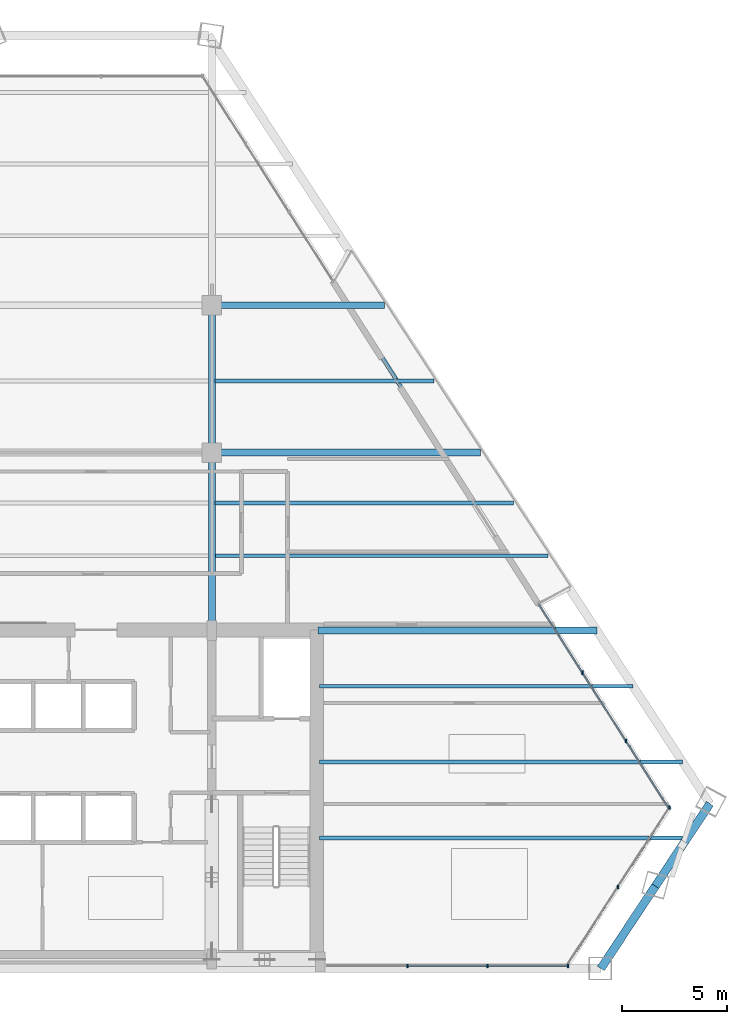
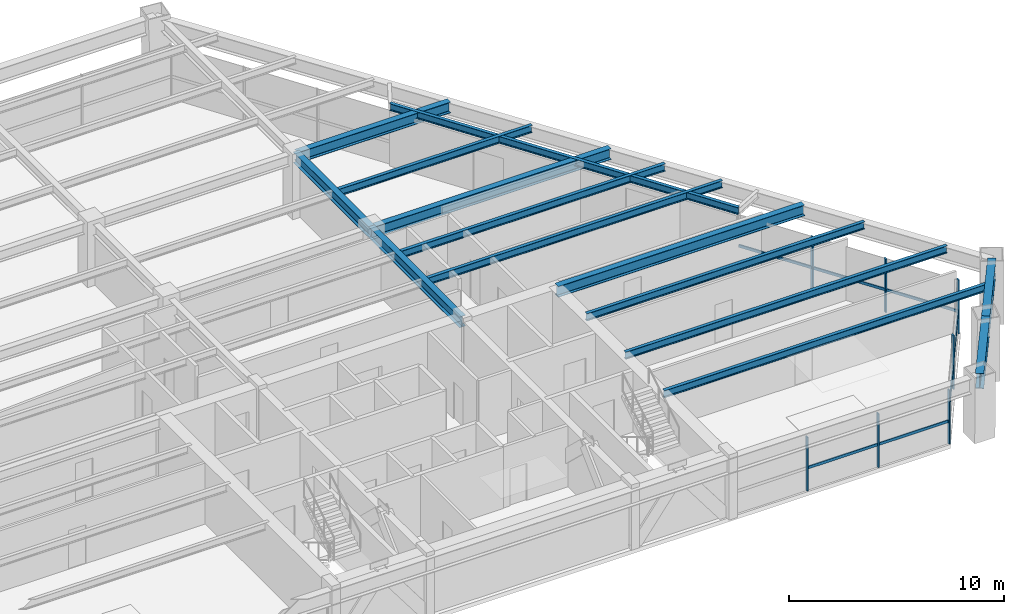
# One storey, part 6 of 15: 14 beams, 14 members, 3 elements without a shape of their own.
"""IFC4 building model written with IfcOpenShell, lengths in metres."""

from ifc_helpers import new_model, si_unit, direction, frame, origin, origin_2d, place, context, subcontext, project, spatial, rectangle, i_section, extrude, source, transform, mapped, material, material_profile, profile_set, type_object, type_shapes, element, aggregate, save


model = new_model("IFC4")

# Units and contexts
model_context = context("Model", 3, precision=1e-05, world=origin(), true_north=direction((0.0, 1.0)))
body_context = subcontext(model_context, "Body", "Model", "MODEL_VIEW")
ifc_project = project(units=[si_unit("LENGTHUNIT", "METRE"), si_unit("AREAUNIT", "SQUARE_METRE"), si_unit("VOLUMEUNIT", "CUBIC_METRE"), si_unit("PLANEANGLEUNIT", "RADIAN"), si_unit("MASSUNIT", "GRAM", prefix="KILO")], contexts=[model_context])

# Site, building, storey
site_placement = place(None, origin())
site = spatial("IfcSite", under=ifc_project, at=site_placement, CompositionType="ELEMENT")
building_placement = place(site_placement, origin())
building = spatial("IfcBuilding", under=site, at=building_placement, Name="Varnakhor Terracotta Tower", CompositionType="ELEMENT")
storey_placement = place(building_placement, frame((0.0, 0.0, 144.10009765625)))
storey = spatial("IfcBuildingStorey", under=building, at=storey_placement, Name="L36", CompositionType="ELEMENT", Elevation=144.10009765625)

# Beams
ifc_material_1 = material(Name="Steel S355", Category="steel")
ifc_material_profile_1 = material_profile(ifc_material_1, i_section(OverallWidth=0.324951171875, OverallDepth=0.615966796875, WebThickness=0.013916015625, FlangeThickness=0.02197265625, FilletRadius=0.01806640625, at=origin_2d()), Name="W24X117")
ifc_profile_set_1 = profile_set([ifc_material_profile_1], Name="Steel S355")
beam_type_1 = type_object("IfcBeamType", Name="BM-W24X117", PredefinedType="BEAM", material=ifc_profile_set_1)
shared_shape_1 = source(origin(), body_context, "Body", "SweptSolid", [
    extrude(i_section(OverallWidth=0.324951171875, OverallDepth=0.615966796875, WebThickness=0.013916015625, FlangeThickness=0.02197265625, FilletRadius=0.01806640625, at=origin_2d()), origin(), (0.0, 0.0, 1.0), 8.449951171875),
])
type_shapes(beam_type_1, [shared_shape_1])
beam_1_placement = place(storey_placement, frame((5.5, 16.050048828125, 3.161865234375), z_axis=(0.0, 1.0, 0.0), x_axis=(-1.0, 0.0, 0.0)))
element("IfcBeam", 1, at=beam_1_placement, inside=storey, type_object=beam_type_1, Name="L36 Primary Girder NS1-E", PredefinedType="BEAM", context=body_context, shape_type="MappedRepresentation", body=[
    mapped(shared_shape_1, transform((0.0, 0.0, 0.0), scale=1.0)),
])
shared_shape_2 = source(origin(), body_context, "Body", "SweptSolid", [
    extrude(i_section(OverallWidth=0.324951171875, OverallDepth=0.615966796875, WebThickness=0.013916015625, FlangeThickness=0.02197265625, FilletRadius=0.01806640625, at=origin_2d()), origin(), (0.0, 0.0, 1.0), 7.0),
])
beam_2_placement = place(storey_placement, frame((5.5, 24.5, 3.161865234375), z_axis=(0.0, 1.0, 0.0), x_axis=(-1.0, 0.0, 0.0)))
element("IfcBeam", 2, at=beam_2_placement, inside=storey, type_object=beam_type_1, Name="L36 Primary Girder NS2-E", PredefinedType="BEAM", context=body_context, shape_type="MappedRepresentation", body=[
    mapped(shared_shape_2, transform((0.0, 0.0, 0.0), scale=1.0)),
])
ifc_material_profile_2 = material_profile(ifc_material_1, i_section(OverallWidth=0.39990234375, OverallDepth=0.85498046875, WebThickness=0.01806640625, FlangeThickness=0.029052734375, FilletRadius=0.01806640625, at=origin_2d()), Name="W33X201")
ifc_profile_set_2 = profile_set([ifc_material_profile_2], Name="Steel S355")
beam_type_2 = type_object("IfcBeamType", Name="BM-W33X201", PredefinedType="BEAM", material=ifc_profile_set_2)
shared_shape_3 = source(origin(), body_context, "Body", "SweptSolid", [
    extrude(i_section(OverallWidth=0.39990234375, OverallDepth=0.85498046875, WebThickness=0.01806640625, FlangeThickness=0.029052734375, FilletRadius=0.01806640625, at=origin_2d()), origin(), (0.0, 0.0, 1.0), 4.68798828125),
])
for number, where, z_axis, x_axis, name in (
    (3, (23.976318359375, 0.0, 3.04248046875), (0.55171616355, 0.834031938763, 0.0), (-0.834031938763, 0.55171616355, 0.0), "L36 Perimeter Spandrel 2"),
    (4, (26.562744140625, 3.909912109375, 3.04248046875), (0.551752388049, 0.834007974951, 0.0), (-0.834007974951, 0.551752388049, 0.0), "L36 Perimeter Spandrel 3"),
):
    element("IfcBeam", number, at=place(storey_placement, frame(where, z_axis=z_axis, x_axis=x_axis)), inside=storey, type_object=beam_type_2, Name=name, PredefinedType="BEAM", context=body_context, shape_type="MappedRepresentation", body=[
        mapped(shared_shape_3, transform((0.0, 0.0, 0.0), scale=1.0)),
    ])
ifc_material_profile_3 = material_profile(ifc_material_1, i_section(OverallWidth=0.179931640625, OverallDepth=0.39990234375, WebThickness=0.008544921875, FlangeThickness=0.013427734375, FilletRadius=0.01806640625, at=origin_2d()), Name="IPE400")
ifc_profile_set_3 = profile_set([ifc_material_profile_3], Name="Steel S355")
beam_type_3 = type_object("IfcBeamType", Name="JST-IPE400", PredefinedType="JOIST", material=ifc_profile_set_3)
shared_shape_4 = source(origin(), body_context, "Body", "SweptSolid", [
    extrude(i_section(OverallWidth=0.179931640625, OverallDepth=0.39990234375, WebThickness=0.008544921875, FlangeThickness=0.013427734375, FilletRadius=0.01806640625, at=origin_2d()), origin(), (0.0, 0.0, 1.0), 18.257568359375),
])
beam_3_placement = place(storey_placement, frame((21.040771484375, 17.298828125, 3.27001953125), z_axis=(-0.536952496922, 0.843612479785, 0.0), x_axis=(-0.843612479785, -0.536952496922, 0.0)))
element("IfcBeam", 5, at=beam_3_placement, inside=storey, type_object=beam_type_3, Name="L36 Loggia Edge Beam 1", PredefinedType="JOIST", context=body_context, shape_type="MappedRepresentation", body=[
    mapped(shared_shape_4, transform((0.0, 0.0, 0.0), scale=1.0)),
])
shared_shape_5 = source(origin(), body_context, "Body", "SweptSolid", [
    extrude(i_section(OverallWidth=0.324951171875, OverallDepth=0.615966796875, WebThickness=0.013916015625, FlangeThickness=0.02197265625, FilletRadius=0.01806640625, at=origin_2d()), origin(), (0.0, 0.0, 1.0), 13.229736328125),
])
beam_4_placement = place(storey_placement, frame((10.550048828125, 16.050048828125, 3.161865234375), z_axis=(1.0, 0.0, 0.0), x_axis=(0.0, 1.0, 0.0)))
element("IfcBeam", 6, at=beam_4_placement, inside=storey, type_object=beam_type_1, Name="L36 Wing Girder E", PredefinedType="BEAM", context=body_context, shape_type="MappedRepresentation", body=[
    mapped(shared_shape_5, transform((0.0, 0.0, 0.0), scale=1.0)),
])
shared_shape_6 = source(origin(), body_context, "Body", "SweptSolid", [
    extrude(i_section(OverallWidth=0.324951171875, OverallDepth=0.615966796875, WebThickness=0.013916015625, FlangeThickness=0.02197265625, FilletRadius=0.01806640625, at=origin_2d()), origin(), (0.0, 0.0, 1.0), 12.7666015625),
])
beam_5_placement = place(storey_placement, frame((5.5, 24.5, 3.161865234375), z_axis=(1.0, 0.0, 0.0), x_axis=(0.0, 1.0, 0.0)))
element("IfcBeam", 7, at=beam_5_placement, inside=storey, type_object=beam_type_1, Name="L36 Primary Girder EW2-3", PredefinedType="BEAM", context=body_context, shape_type="MappedRepresentation", body=[
    mapped(shared_shape_6, transform((0.0, 0.0, 0.0), scale=1.0)),
])
shared_shape_7 = source(origin(), body_context, "Body", "SweptSolid", [
    extrude(i_section(OverallWidth=0.324951171875, OverallDepth=0.615966796875, WebThickness=0.013916015625, FlangeThickness=0.02197265625, FilletRadius=0.01806640625, at=origin_2d()), origin(), (0.0, 0.0, 1.0), 8.19921875),
])
beam_6_placement = place(storey_placement, frame((5.5, 31.5, 3.161865234375), z_axis=(1.0, 0.0, 0.0), x_axis=(0.0, 1.0, 0.0)))
element("IfcBeam", 8, at=beam_6_placement, inside=storey, type_object=beam_type_1, Name="L36 Primary Girder EW3-3", PredefinedType="BEAM", context=body_context, shape_type="MappedRepresentation", body=[
    mapped(shared_shape_7, transform((0.0, 0.0, 0.0), scale=1.0)),
])
ifc_material_profile_4 = material_profile(ifc_material_1, i_section(OverallWidth=0.179931640625, OverallDepth=0.4130859375, WebThickness=0.009765625, FlangeThickness=0.01611328125, FilletRadius=0.01806640625, at=origin_2d()), Name="W16X50")
ifc_profile_set_4 = profile_set([ifc_material_profile_4], Name="Steel S355")
beam_type_4 = type_object("IfcBeamType", Name="JST-W16X50", PredefinedType="JOIST", material=ifc_profile_set_4)
shared_shape_8 = source(origin(), body_context, "Body", "SweptSolid", [
    extrude(i_section(OverallWidth=0.179931640625, OverallDepth=0.4130859375, WebThickness=0.009765625, FlangeThickness=0.01611328125, FilletRadius=0.01806640625, at=origin_2d()), origin(), (0.0, 0.0, 1.0), 17.477783203125),
])
beam_7_placement = place(storey_placement, frame((10.60009765625, 6.199951171875, 3.263427734375), z_axis=(1.0, 0.0, 0.0), x_axis=(0.0, 1.0, 0.0)))
element("IfcBeam", 9, at=beam_7_placement, inside=storey, type_object=beam_type_4, Name="L36 Floor Joist E1", PredefinedType="JOIST", context=body_context, shape_type="MappedRepresentation", body=[
    mapped(shared_shape_8, transform((0.0, 0.0, 0.0), scale=1.0)),
])
shared_shape_9 = source(origin(), body_context, "Body", "SweptSolid", [
    extrude(i_section(OverallWidth=0.179931640625, OverallDepth=0.4130859375, WebThickness=0.009765625, FlangeThickness=0.01611328125, FilletRadius=0.01806640625, at=origin_2d()), origin(), (0.0, 0.0, 1.0), 17.25732421875),
])
beam_8_placement = place(storey_placement, frame((10.60009765625, 9.800048828125, 3.263427734375), z_axis=(1.0, 0.0, 0.0), x_axis=(0.0, 1.0, 0.0)))
element("IfcBeam", 10, at=beam_8_placement, inside=storey, type_object=beam_type_4, Name="L36 Floor Joist E2", PredefinedType="JOIST", context=body_context, shape_type="MappedRepresentation", body=[
    mapped(shared_shape_9, transform((0.0, 0.0, 0.0), scale=1.0)),
])
shared_shape_10 = source(origin(), body_context, "Body", "SweptSolid", [
    extrude(i_section(OverallWidth=0.179931640625, OverallDepth=0.4130859375, WebThickness=0.009765625, FlangeThickness=0.01611328125, FilletRadius=0.01806640625, at=origin_2d()), origin(), (0.0, 0.0, 1.0), 14.90869140625),
])
beam_9_placement = place(storey_placement, frame((10.60009765625, 13.39990234375, 3.263427734375), z_axis=(1.0, 0.0, 0.0), x_axis=(0.0, 1.0, 0.0)))
element("IfcBeam", 11, at=beam_9_placement, inside=storey, type_object=beam_type_4, Name="L36 Floor Joist E3", PredefinedType="JOIST", context=body_context, shape_type="MappedRepresentation", body=[
    mapped(shared_shape_10, transform((0.0, 0.0, 0.0), scale=1.0)),
])
shared_shape_11 = source(origin(), body_context, "Body", "SweptSolid", [
    extrude(i_section(OverallWidth=0.179931640625, OverallDepth=0.4130859375, WebThickness=0.009765625, FlangeThickness=0.01611328125, FilletRadius=0.01806640625, at=origin_2d()), origin(), (0.0, 0.0, 1.0), 15.804931640625),
])
beam_10_placement = place(storey_placement, frame((5.658447265625, 19.60009765625, 3.263427734375), z_axis=(1.0, 0.0, 0.0), x_axis=(0.0, 1.0, 0.0)))
element("IfcBeam", 12, at=beam_10_placement, inside=storey, type_object=beam_type_4, Name="L36 Composite Floor Joist 4-3", PredefinedType="JOIST", context=body_context, shape_type="MappedRepresentation", body=[
    mapped(shared_shape_11, transform((0.0, 0.0, 0.0), scale=1.0)),
])
shared_shape_12 = source(origin(), body_context, "Body", "SweptSolid", [
    extrude(i_section(OverallWidth=0.179931640625, OverallDepth=0.4130859375, WebThickness=0.009765625, FlangeThickness=0.01611328125, FilletRadius=0.01806640625, at=origin_2d()), origin(), (0.0, 0.0, 1.0), 14.173828125),
])
beam_11_placement = place(storey_placement, frame((5.658447265625, 22.10009765625, 3.263427734375), z_axis=(1.0, 0.0, 0.0), x_axis=(0.0, 1.0, 0.0)))
element("IfcBeam", 13, at=beam_11_placement, inside=storey, type_object=beam_type_4, Name="L36 Composite Floor Joist 5-3", PredefinedType="JOIST", context=body_context, shape_type="MappedRepresentation", body=[
    mapped(shared_shape_12, transform((0.0, 0.0, 0.0), scale=1.0)),
])
shared_shape_13 = source(origin(), body_context, "Body", "SweptSolid", [
    extrude(i_section(OverallWidth=0.179931640625, OverallDepth=0.4130859375, WebThickness=0.009765625, FlangeThickness=0.01611328125, FilletRadius=0.01806640625, at=origin_2d()), origin(), (0.0, 0.0, 1.0), 10.3896484375),
])
beam_12_placement = place(storey_placement, frame((5.658447265625, 27.89990234375, 3.263427734375), z_axis=(1.0, 0.0, 0.0), x_axis=(0.0, 1.0, 0.0)))
element("IfcBeam", 14, at=beam_12_placement, inside=storey, type_object=beam_type_4, Name="L36 Composite Floor Joist 6-3", PredefinedType="JOIST", context=body_context, shape_type="MappedRepresentation", body=[
    mapped(shared_shape_13, transform((0.0, 0.0, 0.0), scale=1.0)),
])

# Curtain wall, members
ifc_material_2 = material(Name="Anodised Aluminium Curtain Wall System", Category="aluminium")
curtain_wall_type = type_object("IfcCurtainWallType", Name="CW-SYS-MID-OFFICE", PredefinedType="NOTDEFINED", material=ifc_material_2)
curtain_wall_1_placement = place(storey_placement, origin())
curtain_wall_1 = element("IfcCurtainWall", 15, at=curtain_wall_1_placement, inside=storey, type_object=curtain_wall_type, Name="L36 E Facet Curtain Wall 2", PredefinedType="NOTDEFINED")
ifc_material_3 = material(Name="Anodised Aluminium 6063-T6", Category="aluminium")
ifc_material_profile_5 = material_profile(ifc_material_3, rectangle(XDim=0.070068359375, YDim=0.175048828125, at=origin_2d()), Name="ALU MULLION 70x175")
ifc_profile_set_5 = profile_set([ifc_material_profile_5], Name="Anodised Aluminium 6063-T6")
member_type_1 = type_object("IfcMemberType", Name="CWM-03", PredefinedType="MULLION", material=ifc_profile_set_5)
shared_shape_14 = source(origin(), body_context, "Body", "SweptSolid", [
    extrude(rectangle(XDim=0.070068359375, YDim=0.175048828125, at=origin_2d()), origin(), (0.0, 0.0, 1.0), 3.0498046875),
])
type_shapes(member_type_1, [shared_shape_14])
member_1_placement = place(storey_placement, frame((23.10205078125, 14.044189453125, 0.0), z_axis=(0.0, 0.0, 1.0), x_axis=(1.0, 0.0, 0.0)))
member_1 = element("IfcMember", 16, at=member_1_placement, type_object=member_type_1, Name="L36 E Facet Curtain Wall 2 Mullion 2", PredefinedType="MULLION", context=body_context, shape_type="MappedRepresentation", body=[
    mapped(shared_shape_14, transform((0.0, 0.0, 0.0), scale=1.0)),
])
member_2_placement = place(storey_placement, frame((25.164794921875, 10.805419921875, 0.0), z_axis=(0.0, 0.0, 1.0), x_axis=(1.0, 0.0, 0.0)))
member_2 = element("IfcMember", 17, at=member_2_placement, type_object=member_type_1, Name="L36 E Facet Curtain Wall 2 Mullion 3", PredefinedType="MULLION", context=body_context, shape_type="MappedRepresentation", body=[
    mapped(shared_shape_14, transform((0.0, 0.0, 0.0), scale=1.0)),
])

curtain_wall_2_placement = place(storey_placement, origin())
curtain_wall_2 = element("IfcCurtainWall", 18, at=curtain_wall_2_placement, inside=storey, type_object=curtain_wall_type, Name="L36 Facet Curtain Wall 4", PredefinedType="NOTDEFINED")
member_3_placement = place(storey_placement, frame((27.2275390625, 7.64599609375, 0.0), z_axis=(0.0, 0.0, 1.0), x_axis=(1.0, 0.0, 0.0)))
member_3 = element("IfcMember", 19, at=member_3_placement, type_object=member_type_1, Name="L36 Facet Curtain Wall 4 Mullion 1", PredefinedType="MULLION", context=body_context, shape_type="MappedRepresentation", body=[
    mapped(shared_shape_14, transform((0.0, 0.0, 0.0), scale=1.0)),
])
member_4_placement = place(storey_placement, frame((24.7783203125, 3.868408203125, 0.0), z_axis=(0.0, 0.0, 1.0), x_axis=(1.0, 0.0, 0.0)))
member_4 = element("IfcMember", 20, at=member_4_placement, type_object=member_type_1, Name="L36 Facet Curtain Wall 4 Mullion 2", PredefinedType="MULLION", context=body_context, shape_type="MappedRepresentation", body=[
    mapped(shared_shape_14, transform((0.0, 0.0, 0.0), scale=1.0)),
])

curtain_wall_3_placement = place(storey_placement, origin())
curtain_wall_3 = element("IfcCurtainWall", 21, at=curtain_wall_3_placement, inside=storey, type_object=curtain_wall_type, Name="L36 South Wing Curtain Wall SSE", PredefinedType="NOTDEFINED")
member_5_placement = place(storey_placement, frame((22.4033203125, 0.1201171875, 0.0), z_axis=(0.0, 0.0, 1.0), x_axis=(1.0, 0.0, 0.0)))
member_5 = element("IfcMember", 22, at=member_5_placement, type_object=member_type_1, Name="L36 South Wing Curtain Wall SSE Mullion 1", PredefinedType="MULLION", context=body_context, shape_type="MappedRepresentation", body=[
    mapped(shared_shape_14, transform((0.0, 0.0, 0.0), scale=1.0)),
])
member_6_placement = place(storey_placement, frame((18.592041015625, 0.1201171875, 0.0), z_axis=(0.0, 0.0, 1.0), x_axis=(1.0, 0.0, 0.0)))
member_6 = element("IfcMember", 23, at=member_6_placement, type_object=member_type_1, Name="L36 South Wing Curtain Wall SSE Mullion 2", PredefinedType="MULLION", context=body_context, shape_type="MappedRepresentation", body=[
    mapped(shared_shape_14, transform((0.0, 0.0, 0.0), scale=1.0)),
])
member_7_placement = place(storey_placement, frame((14.781005859375, 0.1201171875, 0.0), z_axis=(0.0, 0.0, 1.0), x_axis=(1.0, 0.0, 0.0)))
member_7 = element("IfcMember", 24, at=member_7_placement, type_object=member_type_1, Name="L36 South Wing Curtain Wall SSE Mullion 3", PredefinedType="MULLION", context=body_context, shape_type="MappedRepresentation", body=[
    mapped(shared_shape_14, transform((0.0, 0.0, 0.0), scale=1.0)),
])

# Member
ifc_material_profile_6 = material_profile(ifc_material_3, rectangle(XDim=0.070068359375, YDim=0.155029296875, at=origin_2d()), Name="ALU TRANSOM 70x155")
ifc_profile_set_6 = profile_set([ifc_material_profile_6], Name="Anodised Aluminium 6063-T6")
member_type_2 = type_object("IfcMemberType", Name="CWT-03", PredefinedType="USERDEFINED", material=ifc_profile_set_6)
shared_shape_15 = source(origin(), body_context, "Body", "SweptSolid", [
    extrude(rectangle(XDim=0.070068359375, YDim=0.155029296875, at=origin_2d()), origin(), (0.0, 0.0, 1.0), 3.83984375),
])
member_8_placement = place(storey_placement, frame((23.10205078125, 14.044189453125, 1.281005859375), z_axis=(0.537192235186, -0.843459840452, 0.0), x_axis=(0.843459840452, 0.537192235186, 0.0)))
member_8 = element("IfcMember", 25, at=member_8_placement, type_object=member_type_2, Name="L36 E Facet Curtain Wall 2 Transom 2", ObjectType="TRANSOM", PredefinedType="USERDEFINED", context=body_context, shape_type="MappedRepresentation", body=[
    mapped(shared_shape_15, transform((0.0, 0.0, 0.0), scale=1.0)),
])

shared_shape_16 = source(origin(), body_context, "Body", "SweptSolid", [
    extrude(rectangle(XDim=0.070068359375, YDim=0.155029296875, at=origin_2d()), origin(), (0.0, 0.0, 1.0), 3.839599609375),
])
member_9_placement = place(storey_placement, frame((21.03955078125, 17.28271484375, 1.281005859375), z_axis=(0.537175809228, -0.843470301777, 0.0), x_axis=(0.843470301777, 0.537175809228, 0.0)))
member_9 = element("IfcMember", 26, at=member_9_placement, type_object=member_type_2, Name="L36 E Facet Curtain Wall 2 Transom 1", ObjectType="TRANSOM", PredefinedType="USERDEFINED", context=body_context, shape_type="MappedRepresentation", body=[
    mapped(shared_shape_16, transform((0.0, 0.0, 0.0), scale=1.0)),
])

member_10_placement = place(storey_placement, frame((25.164794921875, 10.805419921875, 1.281005859375), z_axis=(0.537175809228, -0.843470301777, 0.0), x_axis=(0.843470301777, 0.537175809228, 0.0)))
member_10 = element("IfcMember", 27, at=member_10_placement, type_object=member_type_2, Name="L36 E Facet Curtain Wall 2 Transom 3", ObjectType="TRANSOM", PredefinedType="USERDEFINED", context=body_context, shape_type="MappedRepresentation", body=[
    mapped(shared_shape_16, transform((0.0, 0.0, 0.0), scale=1.0)),
])

aggregate(curtain_wall_1, [member_9, member_1, member_8, member_2, member_10])

shared_shape_17 = source(origin(), body_context, "Body", "SweptSolid", [
    extrude(rectangle(XDim=0.070068359375, YDim=0.155029296875, at=origin_2d()), origin(), (0.0, 0.0, 1.0), 4.502197265625),
])
member_11_placement = place(storey_placement, frame((27.2275390625, 7.64599609375, 1.281005859375), z_axis=(-0.54401778614, -0.839073684704, 0.0), x_axis=(0.839073684704, -0.54401778614, 0.0)))
member_11 = element("IfcMember", 28, at=member_11_placement, type_object=member_type_2, Name="L36 Facet Curtain Wall 4 Transom 1", ObjectType="TRANSOM", PredefinedType="USERDEFINED", context=body_context, shape_type="MappedRepresentation", body=[
    mapped(shared_shape_17, transform((0.0, 0.0, 0.0), scale=1.0)),
])

shared_shape_18 = source(origin(), body_context, "Body", "SweptSolid", [
    extrude(rectangle(XDim=0.070068359375, YDim=0.155029296875, at=origin_2d()), origin(), (0.0, 0.0, 1.0), 4.50244140625),
])
member_12_placement = place(storey_placement, frame((24.7783203125, 3.868408203125, 1.281005859375), z_axis=(-0.544031210549, -0.839064980767, 0.0), x_axis=(0.839064980767, -0.544031210549, 0.0)))
member_12 = element("IfcMember", 29, at=member_12_placement, type_object=member_type_2, Name="L36 Facet Curtain Wall 4 Transom 2", ObjectType="TRANSOM", PredefinedType="USERDEFINED", context=body_context, shape_type="MappedRepresentation", body=[
    mapped(shared_shape_18, transform((0.0, 0.0, 0.0), scale=1.0)),
])

aggregate(curtain_wall_2, [member_3, member_11, member_4, member_12])

shared_shape_19 = source(origin(), body_context, "Body", "SweptSolid", [
    extrude(rectangle(XDim=0.070068359375, YDim=0.155029296875, at=origin_2d()), origin(), (0.0, 0.0, 1.0), 3.811279296875),
])
member_13_placement = place(storey_placement, frame((22.4033203125, 0.1201171875, 1.281005859375), z_axis=(-1.0, 0.0, 0.0), x_axis=(0.0, -1.0, 0.0)))
member_13 = element("IfcMember", 30, at=member_13_placement, type_object=member_type_2, Name="L36 South Wing Curtain Wall SSE Transom 1", ObjectType="TRANSOM", PredefinedType="USERDEFINED", context=body_context, shape_type="MappedRepresentation", body=[
    mapped(shared_shape_19, transform((0.0, 0.0, 0.0), scale=1.0)),
])

shared_shape_20 = source(origin(), body_context, "Body", "SweptSolid", [
    extrude(rectangle(XDim=0.070068359375, YDim=0.155029296875, at=origin_2d()), origin(), (0.0, 0.0, 1.0), 3.81103515625),
])
member_14_placement = place(storey_placement, frame((18.592041015625, 0.1201171875, 1.281005859375), z_axis=(-1.0, 0.0, 0.0), x_axis=(0.0, -1.0, 0.0)))
member_14 = element("IfcMember", 31, at=member_14_placement, type_object=member_type_2, Name="L36 South Wing Curtain Wall SSE Transom 2", ObjectType="TRANSOM", PredefinedType="USERDEFINED", context=body_context, shape_type="MappedRepresentation", body=[
    mapped(shared_shape_20, transform((0.0, 0.0, 0.0), scale=1.0)),
])

aggregate(curtain_wall_3, [member_5, member_13, member_6, member_14, member_7])

save(model, "model.ifc")
